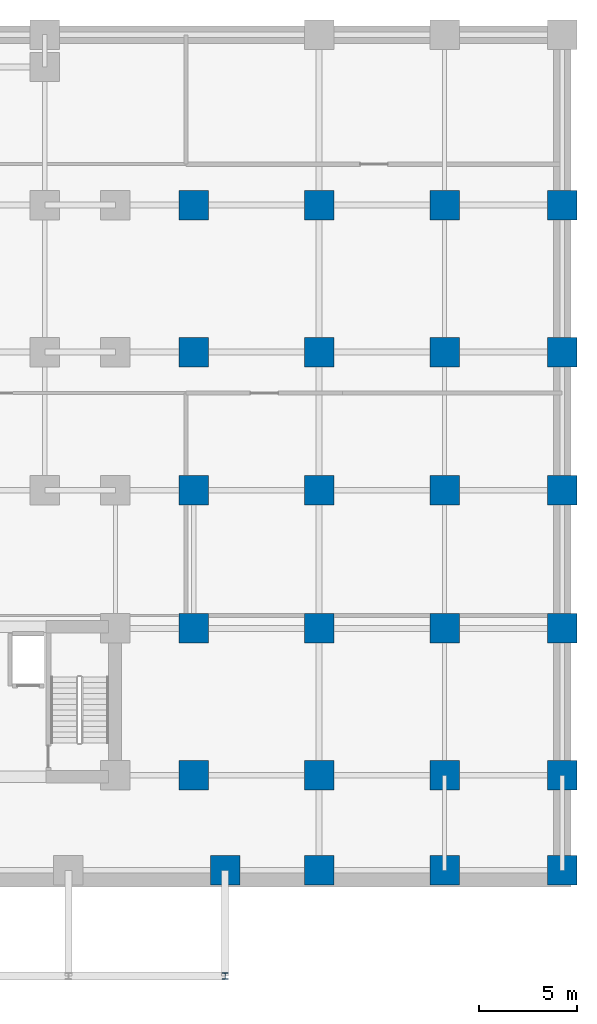
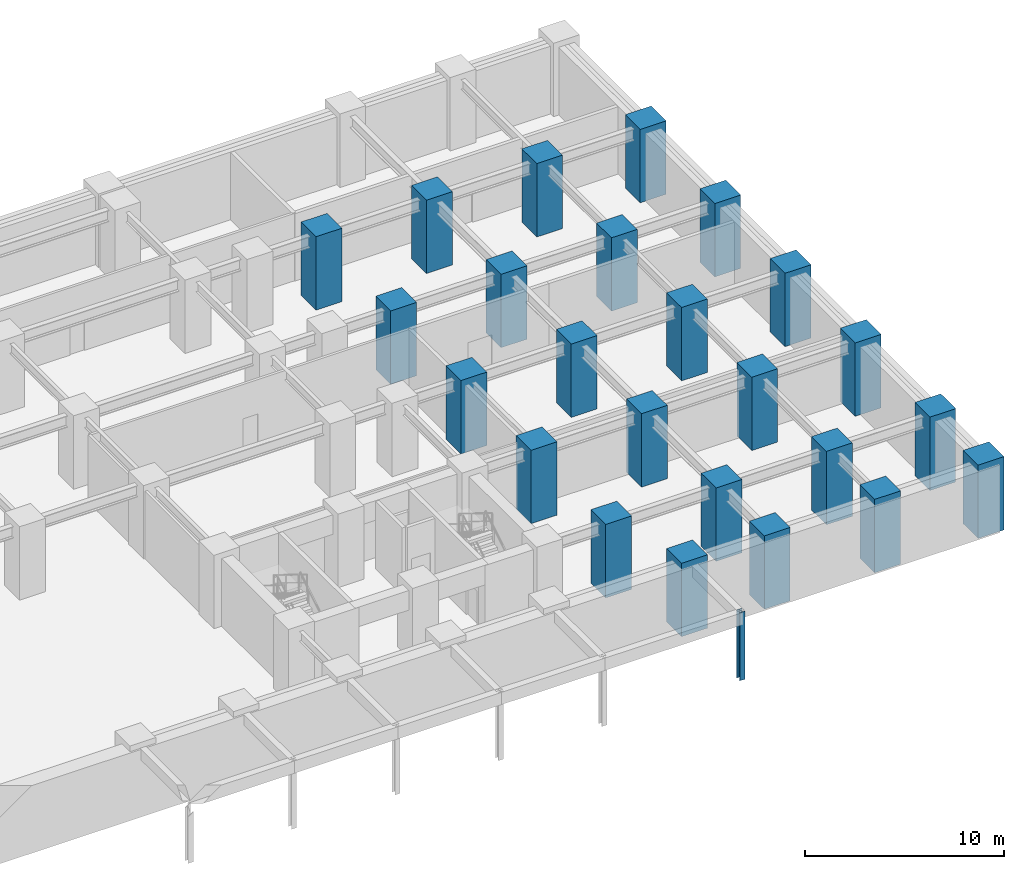
# One storey, part 4 of 11: 25 columns.
"""IFC4 building model written with IfcOpenShell, lengths in metres."""

from ifc_helpers import new_model, si_unit, direction, frame, origin, origin_2d, place, context, subcontext, project, spatial, rectangle, i_section, extrude, source, transform, mapped, material, material_profile, profile_set, type_object, element, save


model = new_model("IFC4")

# Units and contexts
model_context = context("Model", 3, precision=1e-05, world=origin(), true_north=direction((0.0, 1.0)))
body_context = subcontext(model_context, "Body", "Model", "MODEL_VIEW")
ifc_project = project(units=[si_unit("LENGTHUNIT", "METRE"), si_unit("AREAUNIT", "SQUARE_METRE"), si_unit("VOLUMEUNIT", "CUBIC_METRE"), si_unit("PLANEANGLEUNIT", "RADIAN"), si_unit("MASSUNIT", "GRAM", prefix="KILO")], contexts=[model_context])

# Site, building, storey
site_placement = place(None, origin())
site = spatial("IfcSite", under=ifc_project, at=site_placement, CompositionType="ELEMENT")
building_placement = place(site_placement, origin())
building = spatial("IfcBuilding", under=site, at=building_placement, Name="Kaliganga Portal Commons", CompositionType="ELEMENT")
storey_placement = place(building_placement, frame((0.0, 0.0, -4.5)))
storey = spatial("IfcBuildingStorey", under=building, at=storey_placement, Name="B1", CompositionType="ELEMENT", Elevation=-4.5)

# Columns
ifc_material_1 = material(Name="Structural steel S355J2", Category="steel")
ifc_material_profile_1 = material_profile(ifc_material_1, i_section(OverallWidth=0.300048828125, OverallDepth=0.320068359375, WebThickness=0.011474609375, FlangeThickness=0.0205078125, FilletRadius=0.027099609375, at=origin_2d()), Name="HE 320 B")
ifc_profile_set_1 = profile_set([ifc_material_profile_1], Name="Structural steel S355J2 wide-flange")
column_type_1 = type_object("IfcColumnType", Name="COL-PROM-POST", PredefinedType="COLUMN", material=ifc_profile_set_1)
shared_shape_1 = source(origin(), body_context, "Body", "SweptSolid", [
    extrude(i_section(OverallWidth=0.300048828125, OverallDepth=0.320068359375, WebThickness=0.011474609375, FlangeThickness=0.0205078125, FilletRadius=0.027099609375, at=origin_2d()), origin(), (0.0, 0.0, 1.0), 4.1650390625),
])
column_placement = place(storey_placement, frame((56.0, -3.199951171875, 0.0), z_axis=(0.0, 0.0, 1.0), x_axis=(1.0, 0.0, 0.0)))
element("IfcColumn", 1, at=column_placement, inside=storey, type_object=column_type_1, Name="Column PC-01 B1", PredefinedType="COLUMN", context=body_context, shape_type="MappedRepresentation", body=[
    mapped(shared_shape_1, transform((0.0, 0.0, 0.0), x_axis=(1.0, 0.0, 0.0), y_axis=(0.0, 1.0, 0.0), z_axis=(0.0, 0.0, 1.0), scale=1.0)),
])
ifc_material_2 = material(Name="Concrete C70/85", Category="concrete")
ifc_material_profile_2 = material_profile(ifc_material_2, rectangle(XDim=1.5, YDim=1.5, at=origin_2d()), Name="RC 1500x1500")
ifc_profile_set_2 = profile_set([ifc_material_profile_2], Name="Concrete C70/85")
column_type_2 = type_object("IfcColumnType", Name="COL-MEGA-Z0", PredefinedType="COLUMN", material=ifc_profile_set_2)
shared_shape_2 = source(origin(), body_context, "Body", "SweptSolid", [
    extrude(rectangle(XDim=1.5, YDim=1.5, at=origin_2d()), origin(), (0.0, 0.0, 1.0), 4.5),
])
for number, where, z_axis, x_axis, name in (
    (2, (54.39990234375, 7.050048828125, 0.0), (0.0, 0.0, 1.0), (1.0, 0.0, 0.0), "Column MC-01 B1"),
    (3, (54.39990234375, 14.550048828125, 0.0), (0.0, 0.0, 1.0), (1.0, 0.0, 0.0), "Column MC-01 B1"),
    (4, (54.39990234375, 21.60009765625, 0.0), (0.0, 0.0, 1.0), (1.0, 0.0, 0.0), "Column MC-01 B1"),
    (5, (54.39990234375, 28.64990234375, 0.0), (0.0, 0.0, 1.0), (1.0, 0.0, 0.0), "Column MC-01 B1"),
    (6, (54.39990234375, 36.14990234375, 0.0), (0.0, 0.0, 1.0), (1.0, 0.0, 0.0), "Column MC-01 B1"),
    (7, (60.800048828125, 36.14990234375, 0.0), (0.0, 0.0, 1.0), (1.0, 0.0, 0.0), "Column MC-01 B1"),
    (8, (60.800048828125, 28.64990234375, 0.0), (0.0, 0.0, 1.0), (1.0, 0.0, 0.0), "Column MC-01 B1"),
    (9, (60.800048828125, 21.60009765625, 0.0), (0.0, 0.0, 1.0), (1.0, 0.0, 0.0), "Column MC-01 B1"),
    (10, (60.800048828125, 14.550048828125, 0.0), (0.0, 0.0, 1.0), (1.0, 0.0, 0.0), "Column MC-01 B1"),
    (11, (60.800048828125, 7.050048828125, 0.0), (0.0, 0.0, 1.0), (1.0, 0.0, 0.0), "Column MC-01 B1"),
    (12, (60.800048828125, 2.199951171875, 0.0), (0.0, 0.0, 1.0), (1.0, 0.0, 0.0), "Column MC-01 B1"),
    (13, (56.0, 2.199951171875, 0.0), (0.0, 0.0, 1.0), (1.0, 0.0, 0.0), "Column MC-01 B1"),
    (14, (67.199951171875, 2.199951171875, 0.0), (0.0, 0.0, 1.0), (1.0, 0.0, 0.0), "Column MC-01 B1"),
    (15, (67.199951171875, 7.050048828125, 0.0), (0.0, 0.0, 1.0), (1.0, 0.0, 0.0), "Column MC-01 B1"),
    (16, (67.199951171875, 14.550048828125, 0.0), (0.0, 0.0, 1.0), (1.0, 0.0, 0.0), "Column MC-01 B1"),
    (17, (67.199951171875, 21.60009765625, 0.0), (0.0, 0.0, 1.0), (1.0, 0.0, 0.0), "Column MC-01 B1"),
    (18, (67.199951171875, 28.64990234375, 0.0), (0.0, 0.0, 1.0), (1.0, 0.0, 0.0), "Column MC-01 B1"),
    (19, (67.199951171875, 36.14990234375, 0.0), (0.0, 0.0, 1.0), (1.0, 0.0, 0.0), "Column MC-01 B1"),
    (20, (73.199951171875, 2.199951171875, 0.0), (0.0, 0.0, 1.0), (1.0, 0.0, 0.0), "Column MC-01 B1"),
    (21, (73.199951171875, 7.050048828125, 0.0), (0.0, 0.0, 1.0), (1.0, 0.0, 0.0), "Column MC-01 B1"),
    (22, (73.199951171875, 14.550048828125, 0.0), (0.0, 0.0, 1.0), (1.0, 0.0, 0.0), "Column MC-01 B1"),
    (23, (73.199951171875, 21.60009765625, 0.0), (0.0, 0.0, 1.0), (1.0, 0.0, 0.0), "Column MC-01 B1"),
    (24, (73.199951171875, 28.64990234375, 0.0), (0.0, 0.0, 1.0), (1.0, 0.0, 0.0), "Column MC-01 B1"),
    (25, (73.199951171875, 36.14990234375, 0.0), (0.0, 0.0, 1.0), (1.0, 0.0, 0.0), "Column MC-01 B1"),
):
    element("IfcColumn", number, at=place(storey_placement, frame(where, z_axis=z_axis, x_axis=x_axis)), inside=storey, type_object=column_type_2, Name=name, PredefinedType="COLUMN", context=body_context, shape_type="MappedRepresentation", body=[
        mapped(shared_shape_2, transform((0.0, 0.0, 0.0), x_axis=(1.0, 0.0, 0.0), y_axis=(0.0, 1.0, 0.0), z_axis=(0.0, 0.0, 1.0), scale=1.0)),
    ])

save(model, "model.ifc")
